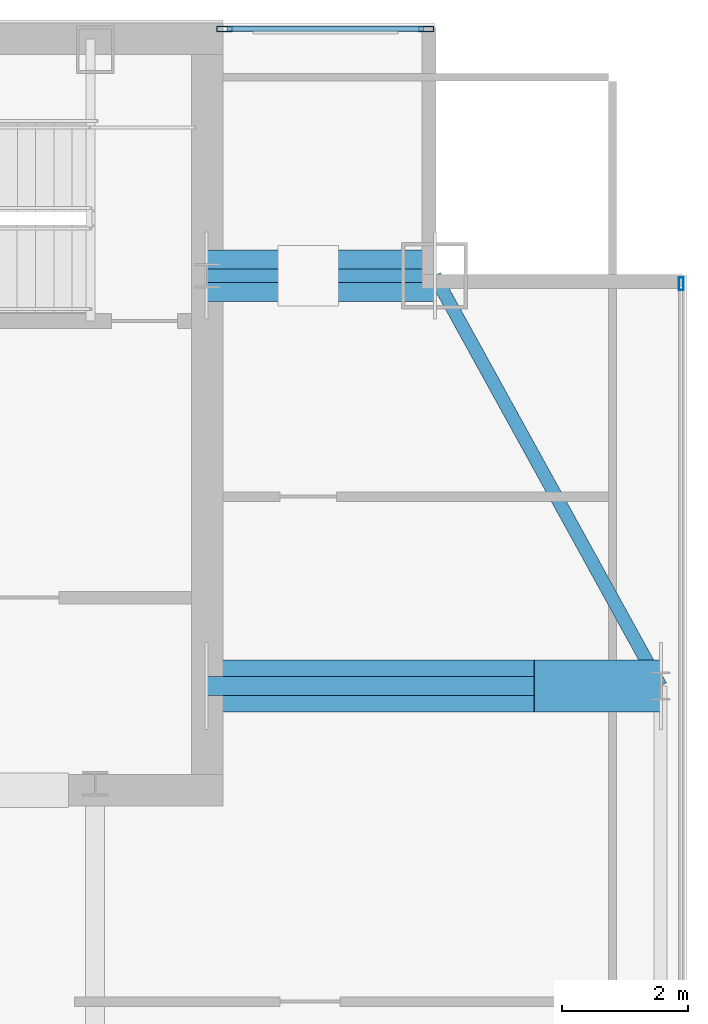
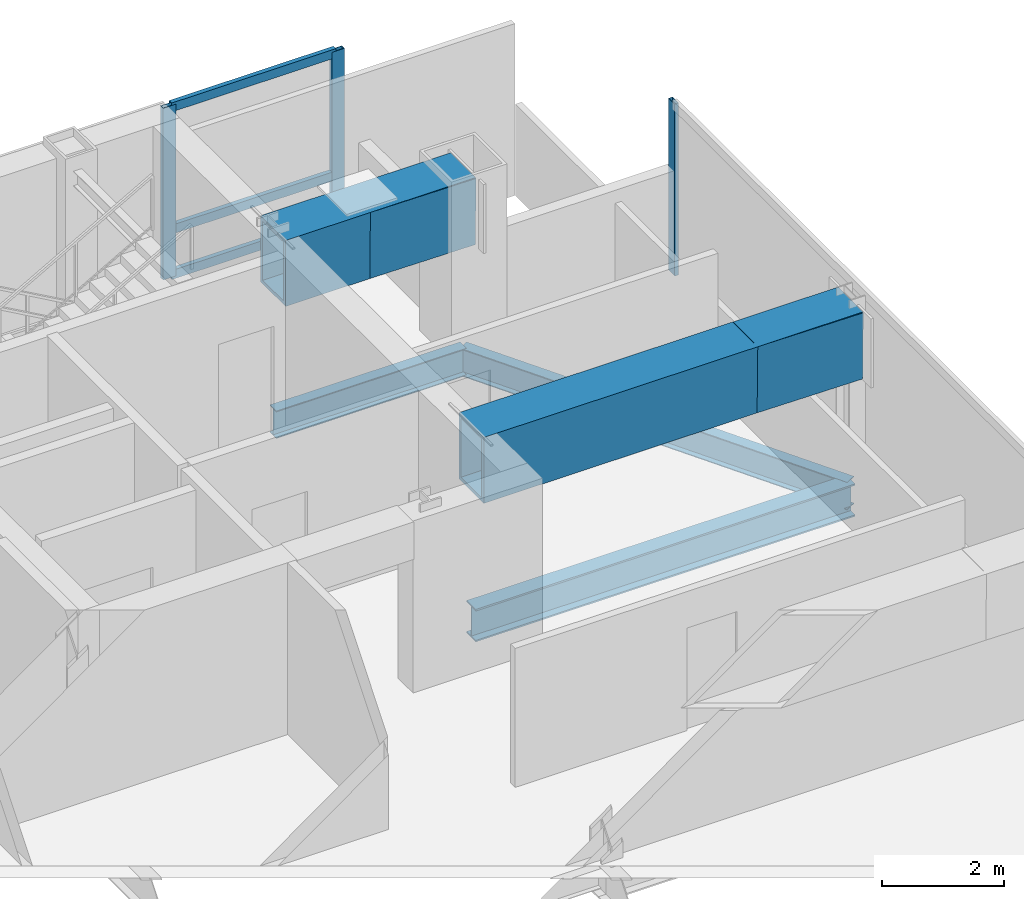
# One storey, part 19 of 26: 7 beams, 6 members, 2 elements without a shape of their own.
"""IFC4 building model written with IfcOpenShell, lengths in metres."""

from ifc_helpers import new_model, si_unit, direction, frame, origin, origin_2d, place, context, subcontext, project, spatial, hollow_rectangle, i_section, extrude, material, material_profile, profile_set, type_object, element, aggregate, save


model = new_model("IFC4")

# Units and contexts
model_context = context("Model", 3, precision=1e-05, world=origin(), true_north=direction((0.0, 1.0)))
body_context = subcontext(model_context, "Body", "Model", "MODEL_VIEW")
ifc_project = project(units=[si_unit("LENGTHUNIT", "METRE"), si_unit("AREAUNIT", "SQUARE_METRE"), si_unit("VOLUMEUNIT", "CUBIC_METRE"), si_unit("PLANEANGLEUNIT", "RADIAN"), si_unit("MASSUNIT", "GRAM", prefix="KILO")], contexts=[model_context])

# Site, building, storey
site_placement = place(None, origin())
site = spatial("IfcSite", under=ifc_project, at=site_placement, CompositionType="ELEMENT")
building_placement = place(site_placement, origin())
building = spatial("IfcBuilding", under=site, at=building_placement, Name="Khoronbel Lancet Exchange", CompositionType="ELEMENT")
storey_placement = place(building_placement, frame((0.0, 0.0, 287.800048828125)))
storey = spatial("IfcBuildingStorey", under=building, at=storey_placement, Name="L74", CompositionType="ELEMENT", Elevation=287.800048828125)

# Beams
ifc_material_1 = material(Name="Steel S355", Category="steel")
ifc_material_profile_1 = material_profile(ifc_material_1, i_section(OverallWidth=0.300048828125, OverallDepth=0.64990234375, WebThickness=0.01611328125, FlangeThickness=0.031005859375, at=origin_2d()), Name="HEB 650")
ifc_profile_set_1 = profile_set([ifc_material_profile_1], Name="Steel S355")
beam_type_1 = type_object("IfcBeamType", Name="BM-BG4", PredefinedType="BEAM", material=ifc_profile_set_1)
beam_1_placement = place(storey_placement, frame((56.449951171875, 43.199951171875, -0.485107421875), z_axis=(1.0, 0.0, 0.0), x_axis=(0.0, 1.0, 0.0)))
element("IfcBeam", 1, at=beam_1_placement, inside=storey, type_object=beam_type_1, Name="Level L74 east lens tie girder LG3E", PredefinedType="BEAM", context=body_context, shape_type="SweptSolid", body=[
    extrude(i_section(OverallWidth=0.300048828125, OverallDepth=0.64990234375, WebThickness=0.01611328125, FlangeThickness=0.031005859375, at=origin_2d()), origin(), (0.0, 0.0, 1.0), 7.179931640625),
])
ifc_material_profile_2 = material_profile(ifc_material_1, i_section(OverallWidth=0.2099609375, OverallDepth=0.550048828125, WebThickness=0.010986328125, FlangeThickness=0.01708984375, at=origin_2d()), Name="IPE 550")
ifc_profile_set_2 = profile_set([ifc_material_profile_2], Name="Steel S355")
beam_type_2 = type_object("IfcBeamType", Name="BM-BSP3", PredefinedType="SPANDREL", material=ifc_profile_set_2)
beam_2_placement = place(storey_placement, frame((63.6298828125, 43.199951171875, -0.43505859375), z_axis=(-0.482418808117, 0.875940690672, 0.0), x_axis=(-0.875940690672, -0.482418808117, 0.0)))
element("IfcBeam", 2, at=beam_2_placement, inside=storey, type_object=beam_type_2, Name="Level L74 perimeter spandrel beam SP15", PredefinedType="SPANDREL", context=body_context, shape_type="SweptSolid", body=[
    extrude(i_section(OverallWidth=0.2099609375, OverallDepth=0.550048828125, WebThickness=0.010986328125, FlangeThickness=0.01708984375, at=origin_2d()), origin(), (0.0, 0.0, 1.0), 7.420654296875),
])
beam_3_placement = place(storey_placement, frame((60.050048828125, 49.699951171875, -0.43505859375), z_axis=(-1.0, 0.0, 0.0), x_axis=(0.0, -1.0, 0.0)))
element("IfcBeam", 3, at=beam_3_placement, inside=storey, type_object=beam_type_2, Name="Level L74 north flank tie spandrel SP23", PredefinedType="SPANDREL", context=body_context, shape_type="SweptSolid", body=[
    extrude(i_section(OverallWidth=0.2099609375, OverallDepth=0.550048828125, WebThickness=0.010986328125, FlangeThickness=0.01708984375, at=origin_2d()), origin(), (0.0, 0.0, 1.0), 3.60009765625),
])
ifc_material_2 = material(Name="Steel S460", Category="steel")
ifc_material_profile_3 = material_profile(ifc_material_2, hollow_rectangle(XDim=0.820068359375, YDim=1.320068359375, WallThickness=0.070068359375, at=origin_2d()), Name="BOX 820x1320x70")
ifc_profile_set_3 = profile_set([ifc_material_profile_3], Name="Steel S460")
beam_type_3 = type_object("IfcBeamType", Name="BM-TG4", PredefinedType="USERDEFINED", material=ifc_profile_set_3)
for number, where, z_axis, x_axis, name in (
    (4, (60.050048828125, 49.699951171875, 2.760009765625), (-0.99994990606, 0.0, 0.010009264196), (0.0, -1.0, 0.0), "Setback transfer knee-brace girder L74-MC-NE"),
    (5, (63.6298828125, 43.199951171875, 2.760009765625), (-0.99994990606, 0.0, 0.010009264196), (0.0, -1.0, 0.0), "Setback transfer knee-brace girder L74-EC-4"),
):
    element("IfcBeam", number, at=place(storey_placement, frame(where, z_axis=z_axis, x_axis=x_axis)), inside=storey, type_object=beam_type_3, Name=name, ObjectType="TRANSFER GIRDER", PredefinedType="USERDEFINED", context=body_context, shape_type="SweptSolid", body=[
        extrude(hollow_rectangle(XDim=0.820068359375, YDim=1.320068359375, WallThickness=0.070068359375, at=origin_2d()), origin(), (0.0, 0.0, 1.0), 2.0),
    ])
beam_4_placement = place(storey_placement, frame((56.449951171875, 49.699951171875, 2.780029296875), z_axis=(1.0, 0.0, 0.0), x_axis=(0.0, 1.0, 0.0)))
element("IfcBeam", 6, at=beam_4_placement, inside=storey, type_object=beam_type_3, Name="Corner mega-column setback transfer girder L74-NE", ObjectType="TRANSFER GIRDER", PredefinedType="USERDEFINED", context=body_context, shape_type="SweptSolid", body=[
    extrude(hollow_rectangle(XDim=0.820068359375, YDim=1.320068359375, WallThickness=0.070068359375, at=origin_2d()), origin(), (0.0, 0.0, 1.0), 3.60009765625),
])
beam_5_placement = place(storey_placement, frame((56.449951171875, 43.199951171875, 2.780029296875), z_axis=(1.0, 0.0, 0.0), x_axis=(0.0, 1.0, 0.0)))
element("IfcBeam", 7, at=beam_5_placement, inside=storey, type_object=beam_type_3, Name="Lens setback S460 transfer girder L74-E5", ObjectType="TRANSFER GIRDER", PredefinedType="USERDEFINED", context=body_context, shape_type="SweptSolid", body=[
    extrude(hollow_rectangle(XDim=0.820068359375, YDim=1.320068359375, WallThickness=0.070068359375, at=origin_2d()), origin(), (0.0, 0.0, 1.0), 7.179931640625),
])

# Curtain wall, members
ifc_material_3 = material(Name="Low-E Solar Control Insulating Glass", Category="glass")
curtain_wall_type_1 = type_object("IfcCurtainWallType", Name="CW-3", PredefinedType="NOTDEFINED", material=ifc_material_3)
curtain_wall_1_placement = place(storey_placement, origin())
curtain_wall_1 = element("IfcCurtainWall", 8, at=curtain_wall_1_placement, inside=storey, type_object=curtain_wall_type_1, Name="Unitised curtain wall CW-L74-NEFLK", PredefinedType="NOTDEFINED")
ifc_material_4 = material(Name="Bronze-Anodised Aluminium 6063-T6", Category="aluminium")
ifc_material_profile_4 = material_profile(ifc_material_4, hollow_rectangle(XDim=0.0849609375, YDim=0.239990234375, WallThickness=0.006103515625, at=origin_2d()), Name="ALU MULLION 85x240")
ifc_profile_set_4 = profile_set([ifc_material_profile_4], Name="Bronze-Anodised Aluminium 6063-T6")
member_type_1 = type_object("IfcMemberType", Name="MEM-CWM1", PredefinedType="MULLION", material=ifc_profile_set_4)
member_1_placement = place(storey_placement, frame((59.91748046875, 53.610107421875, 0.0), z_axis=(0.0, 0.0, 1.0), x_axis=(0.0, -1.0, 0.0)))
member_1 = element("IfcMember", 9, at=member_1_placement, type_object=member_type_1, Name="CW3 mullion 1", PredefinedType="MULLION", context=body_context, shape_type="SweptSolid", body=[
    extrude(hollow_rectangle(XDim=0.0849609375, YDim=0.239990234375, WallThickness=0.006103515625, at=origin_2d()), origin(), (0.0, 0.0, 1.0), 3.43994140625),
])
member_2_placement = place(storey_placement, frame((56.722412109375, 53.610107421875, 0.0), z_axis=(0.0, 0.0, 1.0), x_axis=(0.0, -1.0, 0.0)))
member_2 = element("IfcMember", 10, at=member_2_placement, type_object=member_type_1, Name="CW3 mullion 2", PredefinedType="MULLION", context=body_context, shape_type="SweptSolid", body=[
    extrude(hollow_rectangle(XDim=0.0849609375, YDim=0.239990234375, WallThickness=0.006103515625, at=origin_2d()), origin(), (0.0, 0.0, 1.0), 3.43994140625),
])

# Curtain wall, member
curtain_wall_type_2 = type_object("IfcCurtainWallType", Name="CW-4", PredefinedType="NOTDEFINED", material=ifc_material_3)
curtain_wall_2_placement = place(storey_placement, origin())
curtain_wall_2 = element("IfcCurtainWall", 11, at=curtain_wall_2_placement, inside=storey, type_object=curtain_wall_type_2, Name="Unitised curtain wall CW-L74-E09", PredefinedType="NOTDEFINED")
ifc_material_profile_5 = material_profile(ifc_material_4, hollow_rectangle(XDim=0.074951171875, YDim=0.199951171875, WallThickness=0.0048828125, at=origin_2d()), Name="ALU MULLION 75x200")
ifc_profile_set_5 = profile_set([ifc_material_profile_5], Name="Bronze-Anodised Aluminium 6063-T6")
member_type_2 = type_object("IfcMemberType", Name="MEM-CWM2", PredefinedType="MULLION", material=ifc_profile_set_5)
member_3_placement = place(storey_placement, frame((63.9599609375, 49.572509765625, 0.0), z_axis=(0.0, 0.0, 1.0), x_axis=(1.0, 0.0, 0.0)))
member_3 = element("IfcMember", 12, at=member_3_placement, type_object=member_type_2, Name="CW4 mullion 1", PredefinedType="MULLION", context=body_context, shape_type="SweptSolid", body=[
    extrude(hollow_rectangle(XDim=0.074951171875, YDim=0.199951171875, WallThickness=0.0048828125, at=origin_2d()), origin(), (0.0, 0.0, 1.0), 3.43994140625),
])
aggregate(curtain_wall_2, [member_3])

# Member
ifc_material_profile_6 = material_profile(ifc_material_4, hollow_rectangle(XDim=0.0849609375, YDim=0.179931640625, WallThickness=0.0048828125, at=origin_2d()), Name="ALU TRANSOM 85x180")
ifc_profile_set_6 = profile_set([ifc_material_profile_6], Name="Bronze-Anodised Aluminium 6063-T6")
member_type_3 = type_object("IfcMemberType", Name="MEM-CWT1", PredefinedType="USERDEFINED", material=ifc_profile_set_6)
member_4_placement = place(storey_placement, frame((59.875, 53.610107421875, 0.04248046875), z_axis=(-1.0, 0.0, 0.0), x_axis=(0.0, -1.0, 0.0)))
member_4 = element("IfcMember", 13, at=member_4_placement, type_object=member_type_3, Name="CW3 transom 1.1", ObjectType="TRANSOM", PredefinedType="USERDEFINED", context=body_context, shape_type="SweptSolid", body=[
    extrude(hollow_rectangle(XDim=0.0849609375, YDim=0.179931640625, WallThickness=0.0048828125, at=origin_2d()), origin(), (0.0, 0.0, 1.0), 3.110107421875),
])

member_5_placement = place(storey_placement, frame((59.875, 53.610107421875, 0.949951171875), z_axis=(-1.0, 0.0, 0.0), x_axis=(0.0, -1.0, 0.0)))
member_5 = element("IfcMember", 14, at=member_5_placement, type_object=member_type_3, Name="CW3 transom 1.2", ObjectType="TRANSOM", PredefinedType="USERDEFINED", context=body_context, shape_type="SweptSolid", body=[
    extrude(hollow_rectangle(XDim=0.0849609375, YDim=0.179931640625, WallThickness=0.0048828125, at=origin_2d()), origin(), (0.0, 0.0, 1.0), 3.110107421875),
])

member_6_placement = place(storey_placement, frame((59.875, 53.610107421875, 3.3974609375), z_axis=(-1.0, 0.0, 0.0), x_axis=(0.0, -1.0, 0.0)))
member_6 = element("IfcMember", 15, at=member_6_placement, type_object=member_type_3, Name="CW3 transom 1.3", ObjectType="TRANSOM", PredefinedType="USERDEFINED", context=body_context, shape_type="SweptSolid", body=[
    extrude(hollow_rectangle(XDim=0.0849609375, YDim=0.179931640625, WallThickness=0.0048828125, at=origin_2d()), origin(), (0.0, 0.0, 1.0), 3.110107421875),
])

aggregate(curtain_wall_1, [member_1, member_2, member_4, member_5, member_6])

save(model, "model.ifc")
